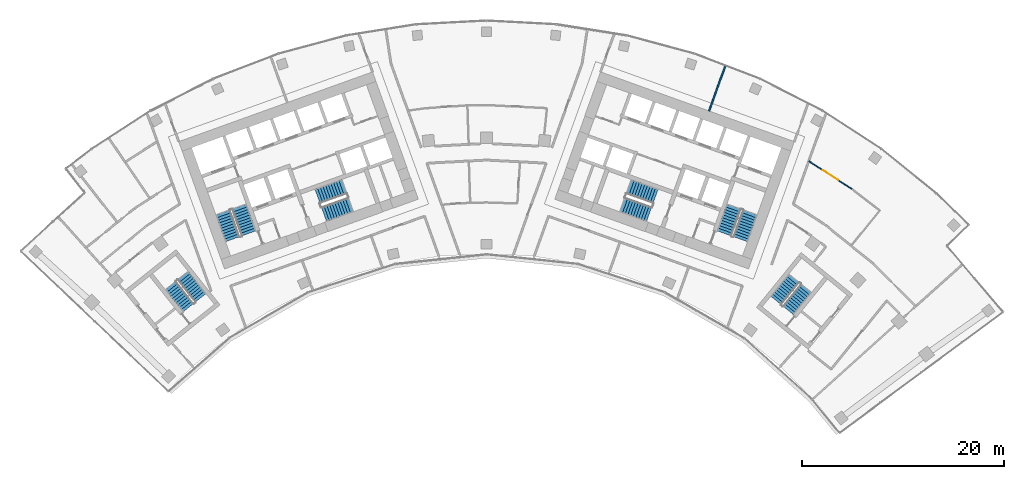
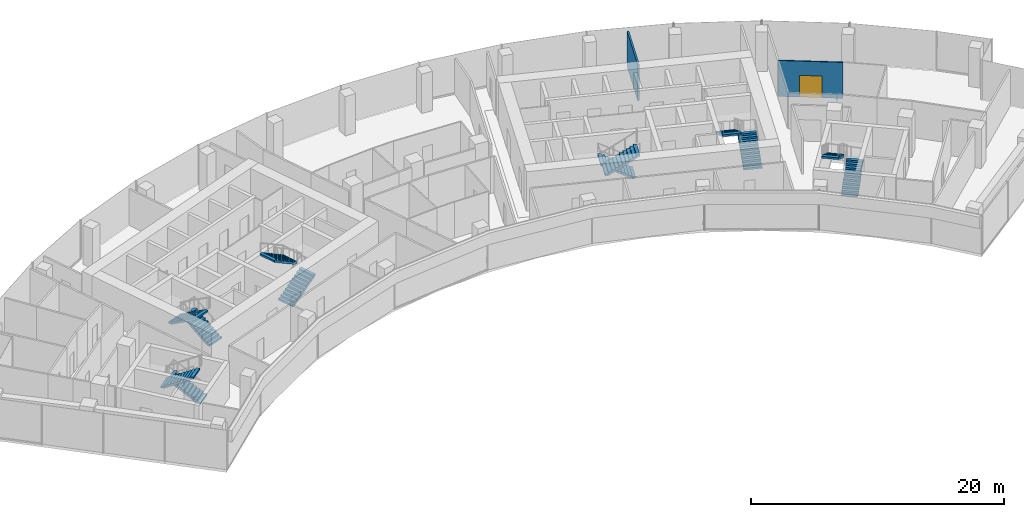
# One storey, part 17 of 19: 12 stair flights, 2 walls, 1 door, 1 opening, 6 elements without a shape of their own.
"""IFC4 building model written with IfcOpenShell, lengths in metres."""

import ifcopenshell
import ifcopenshell.guid

model = None  # the IFC model being written
_history = None  # IfcOwnerHistory: only IFC2X3 demands one
_inside = {}  # id of a spatial element -> (the spatial element, [elements in it])
_under = {}  # id of a project, library or spatial element -> (it, [spatial elements below it])
_declared = {}  # id of a project -> (the project, [libraries it declares])
_typed = {}  # id of a type object -> (the type object, [elements of that type])
_made_of = {}  # id of a material, layer set ... -> (it, [elements and type objects made of it])


def new_model(schema):
    """Start an empty IFC model of exactly this schema.

    Asked for "IFC4X3", IfcOpenShell would pick the latest addendum, in which some entities
    have other attributes; the version numbers below select the first issue.
    IFC2X3 requires an IfcOwnerHistory on every rooted entity: one is made here for all.
    """
    global model, _history
    if schema == "IFC4X3":
        model = ifcopenshell.file(schema_version=(4, 3, 0, 0))
    else:
        model = ifcopenshell.file(schema=schema)
    _inside.clear()
    _under.clear()
    _declared.clear()
    _typed.clear()
    _made_of.clear()
    _history = None
    if model.schema == "IFC2X3":
        org = make("IfcOrganization", Name="unknown")
        user = make(
            "IfcPersonAndOrganization",
            ThePerson=make("IfcPerson", FamilyName="unknown"),
            TheOrganization=org,
        )
        app = make(
            "IfcApplication",
            ApplicationDeveloper=org,
            Version="unknown",
            ApplicationFullName="unknown",
            ApplicationIdentifier="unknown",
        )
        _history = make(
            "IfcOwnerHistory",
            OwningUser=user,
            OwningApplication=app,
            ChangeAction="ADDED",
            CreationDate=0,
        )
    return model


def make(cls, **values):
    """One entity of the class cls with the attributes given. An attribute that is None is left unset."""
    return model.create_entity(
        cls, **{name: value for name, value in values.items() if value is not None}
    )


def rooted(cls, **values):
    """An entity with a GlobalId (a new one), such as an element, a storey or a relation."""
    return make(cls, GlobalId=ifcopenshell.guid.new(), OwnerHistory=_history, **values)


def si_unit(unit_type, name, prefix=None):
    """IfcSIUnit, for example si_unit("LENGTHUNIT", "METRE", prefix="MILLI")."""
    return make("IfcSIUnit", UnitType=unit_type, Prefix=prefix, Name=name)


def assignment(units):
    """IfcUnitAssignment: the units of a project."""
    return None if units is None else make("IfcUnitAssignment", Units=units)


def point(xyz):
    """IfcCartesianPoint."""
    return None if xyz is None else make("IfcCartesianPoint", Coordinates=xyz)


def direction(xyz):
    """IfcDirection."""
    return None if xyz is None else make("IfcDirection", DirectionRatios=xyz)


def frame(location, z_axis=None, x_axis=None):
    """IfcAxis2Placement3D, a coordinate frame: its origin and axes. An axis left out is left unset."""
    return make(
        "IfcAxis2Placement3D",
        Location=point(location),
        Axis=direction(z_axis),
        RefDirection=direction(x_axis),
    )


def frame_2d(location, x_axis=None):
    """IfcAxis2Placement2D, a coordinate frame in the plane: its origin and x axis."""
    return make(
        "IfcAxis2Placement2D", Location=point(location), RefDirection=direction(x_axis)
    )


def origin():
    """The frame at (0, 0, 0) with its axes left unset."""
    return frame((0.0, 0.0, 0.0))


def place(relative_to, where):
    """IfcLocalPlacement: puts the frame where relative to a parent placement (None: the world)."""
    return make(
        "IfcLocalPlacement", PlacementRelTo=relative_to, RelativePlacement=where
    )


def context(
    kind, dimensions, precision=None, world=None, true_north=None, identifier=None
):
    """IfcGeometricRepresentationContext, for example the 3D "Model" context."""
    return make(
        "IfcGeometricRepresentationContext",
        ContextIdentifier=identifier,
        ContextType=kind,
        CoordinateSpaceDimension=dimensions,
        Precision=precision,
        WorldCoordinateSystem=world,
        TrueNorth=true_north,
    )


def subcontext(parent, identifier, kind, view, scale=None):
    """IfcGeometricRepresentationSubContext, for example "Body" below "Model"."""
    return make(
        "IfcGeometricRepresentationSubContext",
        ContextIdentifier=identifier,
        ContextType=kind,
        ParentContext=parent,
        TargetScale=scale,
        TargetView=view,
    )


def project(units=None, contexts=None):
    """IfcProject with its units and contexts."""
    return rooted(
        "IfcProject",
        Name="project",
        RepresentationContexts=contexts,
        UnitsInContext=assignment(units),
    )


def spatial(cls, under=None, at=None, **own):
    """A site, building, storey or space (cls), placed at a placement, below another one or the project."""
    s = rooted(cls, ObjectPlacement=at, **own)
    if under is not None:
        _under.setdefault(under.id(), (under, []))[1].append(s)
    return s


def polyline(points):
    """IfcPolyline through the points."""
    return make("IfcPolyline", Points=[point(p) for p in points])


def profile(cls, at=None, kind="AREA", **sizes):
    """A parametric profile (cls). Its sizes go by their IFC names, for example OverallWidth=200.0."""
    return make(cls, ProfileType=kind, Position=at, **sizes)


def rectangle(**sizes):
    """IfcRectangleProfileDef."""
    return profile("IfcRectangleProfileDef", **sizes)


def outline(outer, holes=None, kind="AREA"):
    """IfcArbitraryClosedProfileDef: a profile drawn as a closed curve; with holes, ...WithVoids."""
    if holes is None:
        return make("IfcArbitraryClosedProfileDef", ProfileType=kind, OuterCurve=outer)
    return make(
        "IfcArbitraryProfileDefWithVoids",
        ProfileType=kind,
        OuterCurve=outer,
        InnerCurves=holes,
    )


def extrude(swept, where, along, depth):
    """IfcExtrudedAreaSolid: the profile swept, set in the frame where, extruded along a direction by depth."""
    return make(
        "IfcExtrudedAreaSolid",
        SweptArea=swept,
        Position=where,
        ExtrudedDirection=direction(along),
        Depth=depth,
    )


def shape(context_of_items, identifier, shape_type, items):
    """IfcShapeRepresentation: the items that make up one representation, for example the "Body"."""
    return make(
        "IfcShapeRepresentation",
        ContextOfItems=context_of_items,
        RepresentationIdentifier=identifier,
        RepresentationType=shape_type,
        Items=items,
    )


def material(Name=None, Category=None):
    """IfcMaterial."""
    return make("IfcMaterial", Name=Name, Category=Category)


def layer(
    of_material, thickness, ventilated=None, Name=None, Category=None, Priority=None
):
    """IfcMaterialLayer: one layer of a wall or slab, of a material (None: an air gap)."""
    return make(
        "IfcMaterialLayer",
        Material=of_material,
        LayerThickness=thickness,
        IsVentilated=ventilated,
        Name=Name,
        Category=Category,
        Priority=Priority,
    )


def layer_set(layers, Name=None):
    """IfcMaterialLayerSet."""
    return make("IfcMaterialLayerSet", MaterialLayers=layers, LayerSetName=Name)


def made_of(thing, what):
    """Note that an element or type object is made of a material, layer set ...; save() writes the relation."""
    if what is not None:
        _made_of.setdefault(what.id(), (what, []))[1].append(thing)
    return thing


def type_object(cls, material=None, **own):
    """A type object (cls), such as IfcWallType, which elements share."""
    return made_of(rooted(cls, **own), material)


def element(
    cls,
    number,
    at=None,
    inside=None,
    cuts=None,
    type_object=None,
    material=None,
    context=None,
    identifier="Body",
    shape_type=None,
    held_by="IfcProductDefinitionShape",
    body=None,
    shapes=None,
    **own,
):
    """One element of the class cls, such as IfcWall. Its Tag is "e" and its number.

    at: its placement. inside: the storey or other place that contains it. cuts: it is an
    opening in that element (IfcRelVoidsElement). A single representation is given by context,
    identifier, shape_type and body (its items); several are given by shapes. held_by: the class
    of the entity that holds the representations. save() writes the other relations.
    """
    e = rooted(cls, Tag="e%d" % number, ObjectPlacement=at, **own)
    if body is not None:
        shapes = [shape(context, identifier, shape_type, body)]
    if shapes is not None:
        e.Representation = make(held_by, Representations=shapes)
    if inside is not None:
        _inside.setdefault(inside.id(), (inside, []))[1].append(e)
    if cuts is not None:
        rooted(
            "IfcRelVoidsElement", RelatingBuildingElement=cuts, RelatedOpeningElement=e
        )
    if type_object is not None:
        _typed.setdefault(type_object.id(), (type_object, []))[1].append(e)
    return made_of(e, material)


def fill(opening, filler):
    """IfcRelFillsElement: the door or window that sits in an opening."""
    return rooted(
        "IfcRelFillsElement",
        RelatingOpeningElement=opening,
        RelatedBuildingElement=filler,
    )


def aggregate(whole, parts):
    """IfcRelAggregates: a whole, such as a stair, and the parts it consists of."""
    return rooted("IfcRelAggregates", RelatingObject=whole, RelatedObjects=parts)


def save(model, path):
    """Write the relations noted so far, then the file.

    IfcRelAggregates (storeys below a building ...), IfcRelContainedInSpatialStructure (elements
    in a storey), IfcRelDefinesByType, IfcRelAssociatesMaterial and IfcRelDeclares: one each for
    every whole, place, type object, material and project.
    """
    for whole, parts in _under.values():
        aggregate(whole, parts)
    for where, things in _inside.values():
        rooted(
            "IfcRelContainedInSpatialStructure",
            RelatedElements=things,
            RelatingStructure=where,
        )
    for kind, things in _typed.values():
        rooted("IfcRelDefinesByType", RelatedObjects=things, RelatingType=kind)
    for what, things in _made_of.values():
        rooted("IfcRelAssociatesMaterial", RelatedObjects=things, RelatingMaterial=what)
    for by, libraries in _declared.values():
        rooted("IfcRelDeclares", RelatingContext=by, RelatedDefinitions=libraries)
    model.write(path)


model = new_model("IFC4")

# Units and contexts
model_context = context("Model", 3, precision=1e-05, world=origin(), true_north=direction((0.0, 1.0)))
body_context = subcontext(model_context, "Body", "Model", "MODEL_VIEW")
ifc_project = project(units=[si_unit("LENGTHUNIT", "METRE"), si_unit("AREAUNIT", "SQUARE_METRE"), si_unit("VOLUMEUNIT", "CUBIC_METRE"), si_unit("PLANEANGLEUNIT", "RADIAN"), si_unit("MASSUNIT", "GRAM", prefix="KILO")], contexts=[model_context])

# Site, building, storey
site_placement = place(None, origin())
site = spatial("IfcSite", under=ifc_project, at=site_placement, CompositionType="ELEMENT")
building_placement = place(site_placement, origin())
building = spatial("IfcBuilding", under=site, at=building_placement, Name="Stone Belt Terrace Tower", CompositionType="ELEMENT")
storey_placement = place(building_placement, frame((0.0, 0.0, 204.800048828125)))
storey = spatial("IfcBuildingStorey", under=building, at=storey_placement, Name="L49", CompositionType="ELEMENT", Elevation=204.800048828125)

# Wall, opening, door
ifc_material_1 = material(Name="Gypsum board partition")
ifc_layer_1 = layer(ifc_material_1, 0.10009765625)
ifc_layer_set_1 = layer_set([ifc_layer_1], Name="PARTITION 100")
wall_type_1 = type_object("IfcWallType", Name="PARTITION 100", PredefinedType="PARTITIONING", material=ifc_layer_set_1)
wall_1_placement = place(storey_placement, frame((36.235107421875, 49.873046875, 0.0), z_axis=(0.0, 0.0, 1.0), x_axis=(-0.838688720145, 0.54461108206, 0.0)))
wall_1 = element("IfcWall", 1, at=wall_1_placement, inside=storey, type_object=wall_type_1, Name="L49/wall/i071", PredefinedType="PARTITIONING", context=body_context, shape_type="SweptSolid", body=[
    extrude(rectangle(XDim=5.141357421875, YDim=0.10009765625, at=frame_2d((2.57080078125, 0.0))), origin(), (0.0, 0.0, 1.0), 3.47998046875),
])
opening_placement = place(wall_1_placement, frame((1.670654296875, 0.0, 0.0)))
opening = element("IfcOpeningElement", 2, at=opening_placement, cuts=wall_1, Name="Opening D-D2-21", PredefinedType="OPENING", context=body_context, shape_type="SweptSolid", body=[
    extrude(rectangle(XDim=1.800048828125, YDim=2.10009765625, at=frame_2d((0.89990234375, 1.050048828125))), frame((0.0, 0.06005859375, 0.0), z_axis=(0.0, -1.0, 0.0), x_axis=(1.0, 0.0, 0.0)), (0.0, 0.0, 1.0), 0.1201171875),
])
ifc_material_2 = material(Name="Timber door leaf", Category="wood")
door_type = type_object("IfcDoorType", Name="DOUBLE DOOR 1800 X 2100", OperationType="DOUBLE_DOOR_SINGLE_SWING", PredefinedType="DOOR", material=ifc_material_2)
door_placement = place(opening_placement, origin())
door = element("IfcDoor", 3, at=door_placement, inside=storey, type_object=door_type, Name="L49/door/i21", OperationType="DOUBLE_DOOR_SINGLE_SWING", OverallHeight=2.10009765625, OverallWidth=1.800048828125, PredefinedType="DOOR", context=body_context, shape_type="SweptSolid", body=[
    extrude(rectangle(XDim=1.800048828125, YDim=2.10009765625, at=frame_2d((0.89990234375, 1.050048828125))), frame((0.0, 0.02490234375, 0.0), z_axis=(0.0, -1.0, 0.0), x_axis=(1.0, 0.0, 0.0)), (0.0, 0.0, 1.0), 0.050048828125),
])
fill(opening, door)

# Wall
ifc_layer_2 = layer(ifc_material_1, 0.14990234375)
ifc_layer_set_2 = layer_set([ifc_layer_2], Name="PARTITION 150 EI 60")
wall_type_2 = type_object("IfcWallType", Name="PARTITION 150 EI 60", PredefinedType="PARTITIONING", material=ifc_layer_set_2)
wall_2_placement = place(storey_placement, frame((23.636962890625, 62.06005859375, 0.0), z_axis=(0.0, 0.0, 1.0), x_axis=(-0.338682662698, -0.940900661063, 0.0)))
element("IfcWall", 4, at=wall_2_placement, inside=storey, type_object=wall_type_2, Name="L49/wall/i038", PredefinedType="PARTITIONING", context=body_context, shape_type="SweptSolid", body=[
    extrude(rectangle(XDim=4.69775390625, YDim=0.14990234375, at=frame_2d((2.348876953125, 0.0))), origin(), (0.0, 0.0, 1.0), 3.47998046875),
])

# Stair, stair flights
ifc_material_3 = material(Name="Concrete B40", Category="concrete")
stair_type = type_object("IfcStairType", Name="Exit stair 1500", PredefinedType="HALF_TURN_STAIR", material=ifc_material_3)
stair_1_placement = place(storey_placement, origin())
stair_1 = element("IfcStair", 5, at=stair_1_placement, inside=storey, type_object=stair_type, Name="L49 Exit stair 1 core A", PredefinedType="HALF_TURN_STAIR")
stair_flight_type = type_object("IfcStairFlightType", Name="Stair flight 1500", PredefinedType="STRAIGHT", material=ifc_material_3)
stair_flight_1_placement = place(storey_placement, frame((-23.55322265625, 45.51318359375, 0.0), z_axis=(0.0, 0.0, 1.0), x_axis=(-0.338624396177, 0.940921632398, 0.0)))
stair_flight_1 = element("IfcStairFlight", 6, at=stair_flight_1_placement, type_object=stair_flight_type, Name="ST1A flight 1", NumberOfRisers=11, NumberOfTreads=10, PredefinedType="STRAIGHT", RiserHeight=0.172727273, TreadLength=0.28, context=body_context, shape_type="SweptSolid", body=[
    extrude(outline(polyline([(0.0, 0.0), (0.0, 0.172607421875), (0.280029296875, 0.172607421875), (0.280029296875, 0.345458984375), (0.56005859375, 0.345458984375), (0.56005859375, 0.51806640625), (0.840087890625, 0.51806640625), (0.840087890625, 0.69091796875), (1.1201171875, 0.69091796875), (1.1201171875, 0.863525390625), (1.39990234375, 0.863525390625), (1.39990234375, 1.036376953125), (1.679931640625, 1.036376953125), (1.679931640625, 1.208984375), (1.9599609375, 1.208984375), (1.9599609375, 1.3818359375), (2.239990234375, 1.3818359375), (2.239990234375, 1.554443359375), (2.52001953125, 1.554443359375), (2.52001953125, 1.727294921875), (2.800048828125, 1.727294921875), (2.800048828125, 1.89990234375), (2.800048828125, 1.551025390625), (0.285400390625, 0.0), (0.0, 0.0)])), frame((0.0, 0.75, 0.0), z_axis=(0.0, -1.0, 0.0), x_axis=(1.0, 0.0, 0.0)), (0.0, 0.0, 1.0), 1.5),
])
stair_flight_2_placement = place(storey_placement, frame((-26.10107421875, 47.572021484375, 1.89990234375), z_axis=(0.0, 0.0, 1.0), x_axis=(0.338624396177, -0.940921632398, 0.0)))
stair_flight_2 = element("IfcStairFlight", 7, at=stair_flight_2_placement, type_object=stair_flight_type, Name="ST1A flight 2", NumberOfRisers=11, NumberOfTreads=10, PredefinedType="STRAIGHT", RiserHeight=0.172727273, TreadLength=0.28, context=body_context, shape_type="SweptSolid", body=[
    extrude(outline(polyline([(0.0, 0.0), (0.0, 0.172607421875), (0.280029296875, 0.172607421875), (0.280029296875, 0.345458984375), (0.56005859375, 0.345458984375), (0.56005859375, 0.51806640625), (0.840087890625, 0.51806640625), (0.840087890625, 0.69091796875), (1.1201171875, 0.69091796875), (1.1201171875, 0.863525390625), (1.39990234375, 0.863525390625), (1.39990234375, 1.036376953125), (1.679931640625, 1.036376953125), (1.679931640625, 1.208984375), (1.9599609375, 1.208984375), (1.9599609375, 1.3818359375), (2.239990234375, 1.3818359375), (2.239990234375, 1.554443359375), (2.52001953125, 1.554443359375), (2.52001953125, 1.727294921875), (2.800048828125, 1.727294921875), (2.800048828125, 1.89990234375), (2.800048828125, 1.551025390625), (0.285400390625, 0.0), (0.0, 0.0)])), frame((0.0, 0.75, 0.0), z_axis=(0.0, -1.0, 0.0), x_axis=(1.0, 0.0, 0.0)), (0.0, 0.0, 1.0), 1.5),
])
aggregate(stair_1, [stair_flight_1, stair_flight_2])

stair_2_placement = place(storey_placement, origin())
stair_2 = element("IfcStair", 8, at=stair_2_placement, inside=storey, type_object=stair_type, Name="L49 Exit stair 2 core A", PredefinedType="HALF_TURN_STAIR")
stair_flight_3_placement = place(storey_placement, frame((-16.101318359375, 47.39794921875, 0.0), z_axis=(0.0, 0.0, 1.0), x_axis=(0.940921632398, 0.338624396177, 0.0)))
stair_flight_3 = element("IfcStairFlight", 9, at=stair_flight_3_placement, type_object=stair_flight_type, Name="ST2A flight 1", NumberOfRisers=11, NumberOfTreads=10, PredefinedType="STRAIGHT", RiserHeight=0.172727273, TreadLength=0.28, context=body_context, shape_type="SweptSolid", body=[
    extrude(outline(polyline([(0.0, 0.0), (0.0, 0.172607421875), (0.280029296875, 0.172607421875), (0.280029296875, 0.345458984375), (0.56005859375, 0.345458984375), (0.56005859375, 0.51806640625), (0.840087890625, 0.51806640625), (0.840087890625, 0.69091796875), (1.1201171875, 0.69091796875), (1.1201171875, 0.863525390625), (1.39990234375, 0.863525390625), (1.39990234375, 1.036376953125), (1.679931640625, 1.036376953125), (1.679931640625, 1.208984375), (1.9599609375, 1.208984375), (1.9599609375, 1.3818359375), (2.239990234375, 1.3818359375), (2.239990234375, 1.554443359375), (2.52001953125, 1.554443359375), (2.52001953125, 1.727294921875), (2.800048828125, 1.727294921875), (2.800048828125, 1.89990234375), (2.800048828125, 1.551025390625), (0.285400390625, 0.0), (0.0, 0.0)])), frame((0.0, 0.75, 0.0), z_axis=(0.0, -1.0, 0.0), x_axis=(1.0, 0.0, 0.0)), (0.0, 0.0, 1.0), 1.5),
])
stair_flight_4_placement = place(storey_placement, frame((-14.110107421875, 50.1337890625, 1.89990234375), z_axis=(0.0, 0.0, 1.0), x_axis=(-0.940921632398, -0.338624396177, 0.0)))
stair_flight_4 = element("IfcStairFlight", 10, at=stair_flight_4_placement, type_object=stair_flight_type, Name="ST2A flight 2", NumberOfRisers=11, NumberOfTreads=10, PredefinedType="STRAIGHT", RiserHeight=0.172727273, TreadLength=0.28, context=body_context, shape_type="SweptSolid", body=[
    extrude(outline(polyline([(0.0, 0.0), (0.0, 0.172607421875), (0.280029296875, 0.172607421875), (0.280029296875, 0.345458984375), (0.56005859375, 0.345458984375), (0.56005859375, 0.51806640625), (0.840087890625, 0.51806640625), (0.840087890625, 0.69091796875), (1.1201171875, 0.69091796875), (1.1201171875, 0.863525390625), (1.39990234375, 0.863525390625), (1.39990234375, 1.036376953125), (1.679931640625, 1.036376953125), (1.679931640625, 1.208984375), (1.9599609375, 1.208984375), (1.9599609375, 1.3818359375), (2.239990234375, 1.3818359375), (2.239990234375, 1.554443359375), (2.52001953125, 1.554443359375), (2.52001953125, 1.727294921875), (2.800048828125, 1.727294921875), (2.800048828125, 1.89990234375), (2.800048828125, 1.551025390625), (0.285400390625, 0.0), (0.0, 0.0)])), frame((0.0, 0.75, 0.0), z_axis=(0.0, -1.0, 0.0), x_axis=(1.0, 0.0, 0.0)), (0.0, 0.0, 1.0), 1.5),
])
aggregate(stair_2, [stair_flight_3, stair_flight_4])

stair_3_placement = place(storey_placement, origin())
stair_3 = element("IfcStair", 11, at=stair_3_placement, inside=storey, type_object=stair_type, Name="L49 Exit stair 1 core B", PredefinedType="HALF_TURN_STAIR")
stair_flight_5_placement = place(storey_placement, frame((25.15283203125, 44.9375, 0.0), z_axis=(0.0, 0.0, 1.0), x_axis=(0.338624396177, 0.940921632398, 0.0)))
stair_flight_5 = element("IfcStairFlight", 12, at=stair_flight_5_placement, type_object=stair_flight_type, Name="ST1B flight 1", NumberOfRisers=11, NumberOfTreads=10, PredefinedType="STRAIGHT", RiserHeight=0.172727273, TreadLength=0.28, context=body_context, shape_type="SweptSolid", body=[
    extrude(outline(polyline([(0.0, 0.0), (0.0, 0.172607421875), (0.280029296875, 0.172607421875), (0.280029296875, 0.345458984375), (0.56005859375, 0.345458984375), (0.56005859375, 0.51806640625), (0.840087890625, 0.51806640625), (0.840087890625, 0.69091796875), (1.1201171875, 0.69091796875), (1.1201171875, 0.863525390625), (1.39990234375, 0.863525390625), (1.39990234375, 1.036376953125), (1.679931640625, 1.036376953125), (1.679931640625, 1.208984375), (1.9599609375, 1.208984375), (1.9599609375, 1.3818359375), (2.239990234375, 1.3818359375), (2.239990234375, 1.554443359375), (2.52001953125, 1.554443359375), (2.52001953125, 1.727294921875), (2.800048828125, 1.727294921875), (2.800048828125, 1.89990234375), (2.800048828125, 1.551025390625), (0.285400390625, 0.0), (0.0, 0.0)])), frame((0.0, 0.75, 0.0), z_axis=(0.0, -1.0, 0.0), x_axis=(1.0, 0.0, 0.0)), (0.0, 0.0, 1.0), 1.5),
])
stair_flight_6_placement = place(storey_placement, frame((24.50146484375, 48.147705078125, 1.89990234375), z_axis=(0.0, 0.0, 1.0), x_axis=(-0.338624396177, -0.940921632398, 0.0)))
stair_flight_6 = element("IfcStairFlight", 13, at=stair_flight_6_placement, type_object=stair_flight_type, Name="ST1B flight 2", NumberOfRisers=11, NumberOfTreads=10, PredefinedType="STRAIGHT", RiserHeight=0.172727273, TreadLength=0.28, context=body_context, shape_type="SweptSolid", body=[
    extrude(outline(polyline([(0.0, 0.0), (0.0, 0.172607421875), (0.280029296875, 0.172607421875), (0.280029296875, 0.345458984375), (0.56005859375, 0.345458984375), (0.56005859375, 0.51806640625), (0.840087890625, 0.51806640625), (0.840087890625, 0.69091796875), (1.1201171875, 0.69091796875), (1.1201171875, 0.863525390625), (1.39990234375, 0.863525390625), (1.39990234375, 1.036376953125), (1.679931640625, 1.036376953125), (1.679931640625, 1.208984375), (1.9599609375, 1.208984375), (1.9599609375, 1.3818359375), (2.239990234375, 1.3818359375), (2.239990234375, 1.554443359375), (2.52001953125, 1.554443359375), (2.52001953125, 1.727294921875), (2.800048828125, 1.727294921875), (2.800048828125, 1.89990234375), (2.800048828125, 1.551025390625), (0.285400390625, 0.0), (0.0, 0.0)])), frame((0.0, 0.75, 0.0), z_axis=(0.0, -1.0, 0.0), x_axis=(1.0, 0.0, 0.0)), (0.0, 0.0, 1.0), 1.5),
])
aggregate(stair_3, [stair_flight_5, stair_flight_6])

stair_4_placement = place(storey_placement, origin())
stair_4 = element("IfcStair", 14, at=stair_4_placement, inside=storey, type_object=stair_type, Name="L49 Exit stair 2 core B", PredefinedType="HALF_TURN_STAIR")
stair_flight_7_placement = place(storey_placement, frame((16.74462890625, 49.185546875, 0.0), z_axis=(0.0, 0.0, 1.0), x_axis=(-0.940921632398, 0.338624396177, 0.0)))
stair_flight_7 = element("IfcStairFlight", 15, at=stair_flight_7_placement, type_object=stair_flight_type, Name="ST2B flight 1", NumberOfRisers=11, NumberOfTreads=10, PredefinedType="STRAIGHT", RiserHeight=0.172727273, TreadLength=0.28, context=body_context, shape_type="SweptSolid", body=[
    extrude(outline(polyline([(0.0, 0.0), (0.0, 0.172607421875), (0.280029296875, 0.172607421875), (0.280029296875, 0.345458984375), (0.56005859375, 0.345458984375), (0.56005859375, 0.51806640625), (0.840087890625, 0.51806640625), (0.840087890625, 0.69091796875), (1.1201171875, 0.69091796875), (1.1201171875, 0.863525390625), (1.39990234375, 0.863525390625), (1.39990234375, 1.036376953125), (1.679931640625, 1.036376953125), (1.679931640625, 1.208984375), (1.9599609375, 1.208984375), (1.9599609375, 1.3818359375), (2.239990234375, 1.3818359375), (2.239990234375, 1.554443359375), (2.52001953125, 1.554443359375), (2.52001953125, 1.727294921875), (2.800048828125, 1.727294921875), (2.800048828125, 1.89990234375), (2.800048828125, 1.551025390625), (0.285400390625, 0.0), (0.0, 0.0)])), frame((0.0, 0.75, 0.0), z_axis=(0.0, -1.0, 0.0), x_axis=(1.0, 0.0, 0.0)), (0.0, 0.0, 1.0), 1.5),
])
stair_flight_8_placement = place(storey_placement, frame((13.466796875, 48.345947265625, 1.89990234375), z_axis=(0.0, 0.0, 1.0), x_axis=(0.940921632398, -0.338624396177, 0.0)))
stair_flight_8 = element("IfcStairFlight", 16, at=stair_flight_8_placement, type_object=stair_flight_type, Name="ST2B flight 2", NumberOfRisers=11, NumberOfTreads=10, PredefinedType="STRAIGHT", RiserHeight=0.172727273, TreadLength=0.28, context=body_context, shape_type="SweptSolid", body=[
    extrude(outline(polyline([(0.0, 0.0), (0.0, 0.172607421875), (0.280029296875, 0.172607421875), (0.280029296875, 0.345458984375), (0.56005859375, 0.345458984375), (0.56005859375, 0.51806640625), (0.840087890625, 0.51806640625), (0.840087890625, 0.69091796875), (1.1201171875, 0.69091796875), (1.1201171875, 0.863525390625), (1.39990234375, 0.863525390625), (1.39990234375, 1.036376953125), (1.679931640625, 1.036376953125), (1.679931640625, 1.208984375), (1.9599609375, 1.208984375), (1.9599609375, 1.3818359375), (2.239990234375, 1.3818359375), (2.239990234375, 1.554443359375), (2.52001953125, 1.554443359375), (2.52001953125, 1.727294921875), (2.800048828125, 1.727294921875), (2.800048828125, 1.89990234375), (2.800048828125, 1.551025390625), (0.285400390625, 0.0), (0.0, 0.0)])), frame((0.0, 0.75, 0.0), z_axis=(0.0, -1.0, 0.0), x_axis=(1.0, 0.0, 0.0)), (0.0, 0.0, 1.0), 1.5),
])
aggregate(stair_4, [stair_flight_7, stair_flight_8])

stair_5_placement = place(storey_placement, origin())
stair_5 = element("IfcStair", 17, at=stair_5_placement, inside=storey, type_object=stair_type, Name="L49 Exit stair 3A", PredefinedType="HALF_TURN_STAIR")
stair_flight_9_placement = place(storey_placement, frame((-28.325439453125, 39.1240234375, 0.0), z_axis=(0.0, 0.0, 1.0), x_axis=(-0.623121363691, 0.782125160132, 0.0)))
stair_flight_9 = element("IfcStairFlight", 18, at=stair_flight_9_placement, type_object=stair_flight_type, Name="ST3A flight 1", NumberOfRisers=11, NumberOfTreads=10, PredefinedType="STRAIGHT", RiserHeight=0.172727273, TreadLength=0.28, context=body_context, shape_type="SweptSolid", body=[
    extrude(outline(polyline([(0.0, 0.0), (0.0, 0.172607421875), (0.280029296875, 0.172607421875), (0.280029296875, 0.345458984375), (0.56005859375, 0.345458984375), (0.56005859375, 0.51806640625), (0.840087890625, 0.51806640625), (0.840087890625, 0.69091796875), (1.1201171875, 0.69091796875), (1.1201171875, 0.863525390625), (1.39990234375, 0.863525390625), (1.39990234375, 1.036376953125), (1.679931640625, 1.036376953125), (1.679931640625, 1.208984375), (1.9599609375, 1.208984375), (1.9599609375, 1.3818359375), (2.239990234375, 1.3818359375), (2.239990234375, 1.554443359375), (2.52001953125, 1.554443359375), (2.52001953125, 1.727294921875), (2.800048828125, 1.727294921875), (2.800048828125, 1.89990234375), (2.800048828125, 1.551025390625), (0.285400390625, 0.0), (0.0, 0.0)])), frame((0.0, 0.675048828125, 0.0), z_axis=(0.0, -1.0, 0.0), x_axis=(1.0, 0.0, 0.0)), (0.0, 0.0, 1.0), 1.35009765625),
])
stair_flight_10_placement = place(storey_placement, frame((-31.282470703125, 40.34814453125, 1.89990234375), z_axis=(0.0, 0.0, 1.0), x_axis=(0.623121363691, -0.782125160132, 0.0)))
stair_flight_10 = element("IfcStairFlight", 19, at=stair_flight_10_placement, type_object=stair_flight_type, Name="ST3A flight 2", NumberOfRisers=11, NumberOfTreads=10, PredefinedType="STRAIGHT", RiserHeight=0.172727273, TreadLength=0.28, context=body_context, shape_type="SweptSolid", body=[
    extrude(outline(polyline([(0.0, 0.0), (0.0, 0.172607421875), (0.280029296875, 0.172607421875), (0.280029296875, 0.345458984375), (0.56005859375, 0.345458984375), (0.56005859375, 0.51806640625), (0.840087890625, 0.51806640625), (0.840087890625, 0.69091796875), (1.1201171875, 0.69091796875), (1.1201171875, 0.863525390625), (1.39990234375, 0.863525390625), (1.39990234375, 1.036376953125), (1.679931640625, 1.036376953125), (1.679931640625, 1.208984375), (1.9599609375, 1.208984375), (1.9599609375, 1.3818359375), (2.239990234375, 1.3818359375), (2.239990234375, 1.554443359375), (2.52001953125, 1.554443359375), (2.52001953125, 1.727294921875), (2.800048828125, 1.727294921875), (2.800048828125, 1.89990234375), (2.800048828125, 1.551025390625), (0.285400390625, 0.0), (0.0, 0.0)])), frame((0.0, 0.675048828125, 0.0), z_axis=(0.0, -1.0, 0.0), x_axis=(1.0, 0.0, 0.0)), (0.0, 0.0, 1.0), 1.35009765625),
])
aggregate(stair_5, [stair_flight_9, stair_flight_10])

stair_6_placement = place(storey_placement, origin())
stair_6 = element("IfcStair", 20, at=stair_6_placement, inside=storey, type_object=stair_type, Name="L49 Exit stair 3B", PredefinedType="HALF_TURN_STAIR")
stair_flight_11_placement = place(storey_placement, frame((29.88330078125, 37.887939453125, 0.0), z_axis=(0.0, 0.0, 1.0), x_axis=(0.630205749599, 0.776428176441, 0.0)))
stair_flight_11 = element("IfcStairFlight", 21, at=stair_flight_11_placement, type_object=stair_flight_type, Name="ST3B flight 1", NumberOfRisers=11, NumberOfTreads=10, PredefinedType="STRAIGHT", RiserHeight=0.172727273, TreadLength=0.28, context=body_context, shape_type="SweptSolid", body=[
    extrude(outline(polyline([(0.0, 0.0), (0.0, 0.172607421875), (0.280029296875, 0.172607421875), (0.280029296875, 0.345458984375), (0.56005859375, 0.345458984375), (0.56005859375, 0.51806640625), (0.840087890625, 0.51806640625), (0.840087890625, 0.69091796875), (1.1201171875, 0.69091796875), (1.1201171875, 0.863525390625), (1.39990234375, 0.863525390625), (1.39990234375, 1.036376953125), (1.679931640625, 1.036376953125), (1.679931640625, 1.208984375), (1.9599609375, 1.208984375), (1.9599609375, 1.3818359375), (2.239990234375, 1.3818359375), (2.239990234375, 1.554443359375), (2.52001953125, 1.554443359375), (2.52001953125, 1.727294921875), (2.800048828125, 1.727294921875), (2.800048828125, 1.89990234375), (2.800048828125, 1.551025390625), (0.285400390625, 0.0), (0.0, 0.0)])), frame((0.0, 0.675048828125, 0.0), z_axis=(0.0, -1.0, 0.0), x_axis=(1.0, 0.0, 0.0)), (0.0, 0.0, 1.0), 1.35009765625),
])
stair_flight_12_placement = place(storey_placement, frame((30.4443359375, 41.038818359375, 1.89990234375), z_axis=(0.0, 0.0, 1.0), x_axis=(-0.630205749599, -0.776428176441, 0.0)))
stair_flight_12 = element("IfcStairFlight", 22, at=stair_flight_12_placement, type_object=stair_flight_type, Name="ST3B flight 2", NumberOfRisers=11, NumberOfTreads=10, PredefinedType="STRAIGHT", RiserHeight=0.172727273, TreadLength=0.28, context=body_context, shape_type="SweptSolid", body=[
    extrude(outline(polyline([(0.0, 0.0), (0.0, 0.172607421875), (0.280029296875, 0.172607421875), (0.280029296875, 0.345458984375), (0.56005859375, 0.345458984375), (0.56005859375, 0.51806640625), (0.840087890625, 0.51806640625), (0.840087890625, 0.69091796875), (1.1201171875, 0.69091796875), (1.1201171875, 0.863525390625), (1.39990234375, 0.863525390625), (1.39990234375, 1.036376953125), (1.679931640625, 1.036376953125), (1.679931640625, 1.208984375), (1.9599609375, 1.208984375), (1.9599609375, 1.3818359375), (2.239990234375, 1.3818359375), (2.239990234375, 1.554443359375), (2.52001953125, 1.554443359375), (2.52001953125, 1.727294921875), (2.800048828125, 1.727294921875), (2.800048828125, 1.89990234375), (2.800048828125, 1.551025390625), (0.285400390625, 0.0), (0.0, 0.0)])), frame((0.0, 0.675048828125, 0.0), z_axis=(0.0, -1.0, 0.0), x_axis=(1.0, 0.0, 0.0)), (0.0, 0.0, 1.0), 1.35009765625),
])
aggregate(stair_6, [stair_flight_11, stair_flight_12])

save(model, "model.ifc")
